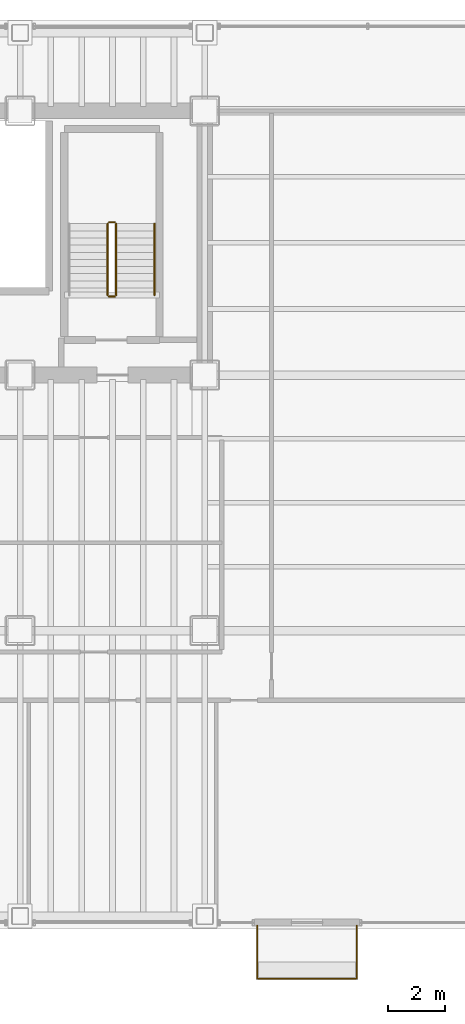
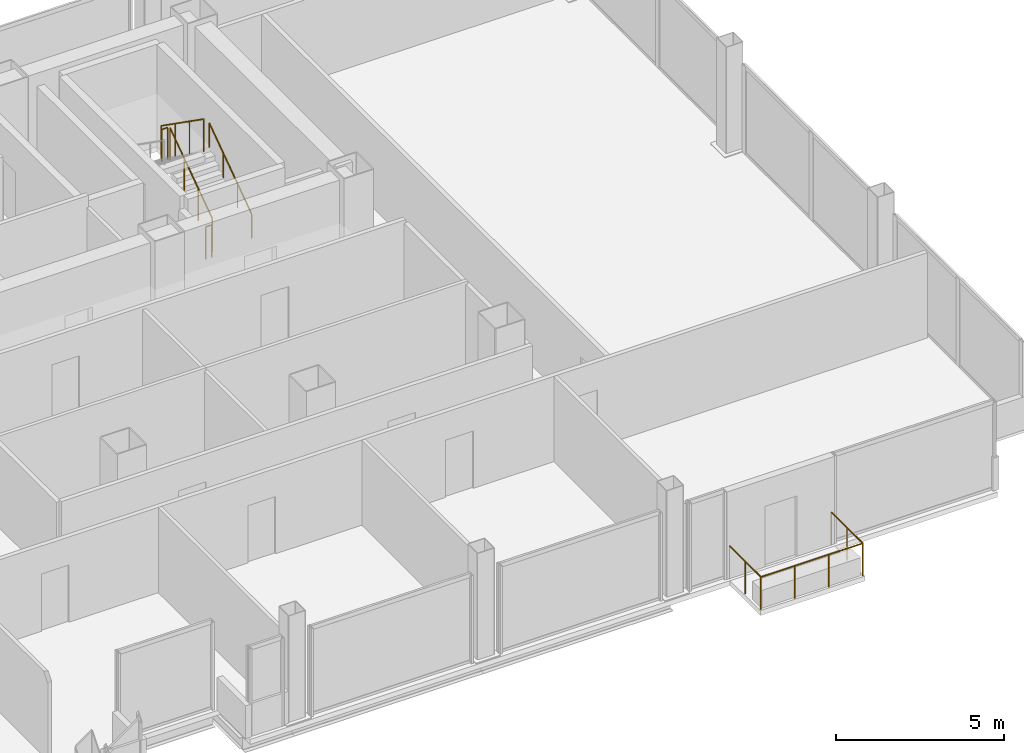
# One storey, part 22 of 22: 6 railings.
"""IFC4 building model written with IfcOpenShell, lengths in metres."""

from ifc_helpers import new_model, si_unit, direction, frame, origin, origin_2d, place, context, subcontext, project, spatial, circle, extrude, material, layer, layer_set, type_object, element, save


model = new_model("IFC4")

# Units and contexts
model_context = context("Model", 3, precision=1e-05, world=origin(), true_north=direction((0.0, 1.0)))
body_context = subcontext(model_context, "Body", "Model", "MODEL_VIEW")
ifc_project = project(units=[si_unit("LENGTHUNIT", "METRE"), si_unit("AREAUNIT", "SQUARE_METRE"), si_unit("VOLUMEUNIT", "CUBIC_METRE"), si_unit("PLANEANGLEUNIT", "RADIAN"), si_unit("MASSUNIT", "GRAM", prefix="KILO")], contexts=[model_context])

# Site, building, storey
site_placement = place(None, origin())
site = spatial("IfcSite", under=ifc_project, at=site_placement, CompositionType="ELEMENT")
building_placement = place(site_placement, origin())
building = spatial("IfcBuilding", under=site, at=building_placement, Name="Noeulbin Bourse Tower", CompositionType="ELEMENT")
storey_placement = place(building_placement, frame((0.0, 0.0, 88.89990234375)))
storey = spatial("IfcBuildingStorey", under=building, at=storey_placement, Name="L22", CompositionType="ELEMENT", Elevation=88.89990234375)

# Railings
ifc_material_1 = material(Name="Laminated SentryGlas and Stainless Steel 316", Category="steel")
ifc_layer_1 = layer(ifc_material_1, 0.06005859375)
ifc_layer_set_1 = layer_set([ifc_layer_1], Name="Laminated SentryGlas and Stainless Steel 316")
railing_type_1 = type_object("IfcRailingType", Name="RLG-BAL-1200", PredefinedType="BALUSTRADE", material=ifc_layer_set_1)
railing_1_placement = place(storey_placement, frame((45.85009765625, 9.6201171875, 0.0)))
element("IfcRailing", 1, at=railing_1_placement, inside=storey, type_object=railing_type_1, Name="Tree-Balcony Glazed Balustrade L22", PredefinedType="BALUSTRADE", context=body_context, shape_type="SweptSolid", body=[
    extrude(circle(Radius=0.02392578125, at=origin_2d()), frame((0.0, 0.0, 1.17578125), z_axis=(0.0, -1.0, 0.0), x_axis=(1.0, 0.0, 0.0)), (0.0, 0.0, 1.0), 1.8701171875),
    extrude(circle(Radius=0.02392578125, at=origin_2d()), frame((0.0, -1.8701171875, 1.17578125), z_axis=(1.0, 0.0, 0.0), x_axis=(0.0, 1.0, 0.0)), (0.0, 0.0, 1.0), 3.5),
    extrude(circle(Radius=0.02392578125, at=origin_2d()), frame((3.5, -1.8701171875, 1.17578125), z_axis=(0.0, 1.0, 0.0), x_axis=(-1.0, 0.0, 0.0)), (0.0, 0.0, 1.0), 1.8701171875),
    extrude(circle(Radius=0.02099609375, at=origin_2d()), origin(), (0.0, 0.0, 1.0), 1.15185546875),
    extrude(circle(Radius=0.02099609375, at=origin_2d()), frame((0.0, -0.93505859375, 0.0)), (0.0, 0.0, 1.0), 1.15185546875),
    extrude(circle(Radius=0.02099609375, at=origin_2d()), frame((0.0, -1.8701171875, 0.0)), (0.0, 0.0, 1.0), 1.15185546875),
    extrude(circle(Radius=0.02099609375, at=origin_2d()), frame((1.166748046875, -1.8701171875, 0.0)), (0.0, 0.0, 1.0), 1.15185546875),
    extrude(circle(Radius=0.02099609375, at=origin_2d()), frame((2.333251953125, -1.8701171875, 0.0)), (0.0, 0.0, 1.0), 1.15185546875),
    extrude(circle(Radius=0.02099609375, at=origin_2d()), frame((3.5, -1.8701171875, 0.0)), (0.0, 0.0, 1.0), 1.15185546875),
    extrude(circle(Radius=0.02099609375, at=origin_2d()), frame((3.5, -0.93505859375, 0.0)), (0.0, 0.0, 1.0), 1.15185546875),
    extrude(circle(Radius=0.02099609375, at=origin_2d()), frame((3.5, 0.0, 0.0)), (0.0, 0.0, 1.0), 1.15185546875),
])
ifc_material_2 = material(Name="Painted Tubular Steel S355", Category="steel")
ifc_layer_2 = layer(ifc_material_2, 0.048095703125)
ifc_layer_set_2 = layer_set([ifc_layer_2], Name="Painted Tubular Steel S355")
railing_type_2 = type_object("IfcRailingType", Name="RLG-STR-GRD", PredefinedType="GUARDRAIL", material=ifc_layer_set_2)
railing_2_placement = place(storey_placement, frame((40.8798828125, 31.81005859375, 0.177490234375)))
element("IfcRailing", 2, at=railing_2_placement, inside=storey, type_object=railing_type_2, Name="L22 ST-2 stair guard 1", PredefinedType="GUARDRAIL", context=body_context, shape_type="SweptSolid", body=[
    extrude(circle(Radius=0.02392578125, at=origin_2d()), frame((0.0, 0.0, 1.17578125), z_axis=(0.0, 0.817904474719, 0.575354039036), x_axis=(-1.0, 0.0, 0.0)), (0.0, 0.0, 1.0), 3.0810546875),
    extrude(circle(Radius=0.02099609375, at=origin_2d()), origin(), (0.0, 0.0, 1.0), 1.15185546875),
    extrude(circle(Radius=0.02099609375, at=origin_2d()), frame((0.0, 0.840087890625, 0.5908203125)), (0.0, 0.0, 1.0), 1.15185546875),
    extrude(circle(Radius=0.02099609375, at=origin_2d()), frame((0.0, 1.679931640625, 1.181884765625)), (0.0, 0.0, 1.0), 1.15185546875),
    extrude(circle(Radius=0.02099609375, at=origin_2d()), frame((0.0, 2.52001953125, 1.772705078125)), (0.0, 0.0, 1.0), 1.15185546875),
])
railing_3_placement = place(storey_placement, frame((40.830078125, 34.3798828125, 1.9501953125)))
element("IfcRailing", 3, at=railing_3_placement, inside=storey, type_object=railing_type_2, Name="L22 ST-2 stair guard 2", PredefinedType="GUARDRAIL", context=body_context, shape_type="SweptSolid", body=[
    extrude(circle(Radius=0.02392578125, at=origin_2d()), frame((0.0, 0.0, 1.17578125), z_axis=(-1.0, 0.0, 0.0), x_axis=(0.0, -1.0, 0.0)), (0.0, 0.0, 1.0), 0.2001953125),
    extrude(circle(Radius=0.02099609375, at=origin_2d()), origin(), (0.0, 0.0, 1.0), 1.15185546875),
    extrude(circle(Radius=0.02099609375, at=origin_2d()), frame((-0.2001953125, 0.0, 0.0)), (0.0, 0.0, 1.0), 1.15185546875),
])
railing_4_placement = place(storey_placement, frame((40.580078125, 34.330078125, 2.12744140625)))
element("IfcRailing", 4, at=railing_4_placement, inside=storey, type_object=railing_type_2, Name="L22 ST-2 stair guard 3", PredefinedType="GUARDRAIL", context=body_context, shape_type="SweptSolid", body=[
    extrude(circle(Radius=0.02392578125, at=origin_2d()), frame((0.0, 0.0, 1.17578125), z_axis=(0.0, -0.817904474719, 0.575354039036), x_axis=(1.0, 0.0, 0.0)), (0.0, 0.0, 1.0), 3.0810546875),
    extrude(circle(Radius=0.02099609375, at=origin_2d()), origin(), (0.0, 0.0, 1.0), 1.15185546875),
    extrude(circle(Radius=0.02099609375, at=origin_2d()), frame((0.0, -0.840087890625, 0.5908203125)), (0.0, 0.0, 1.0), 1.15185546875),
    extrude(circle(Radius=0.02099609375, at=origin_2d()), frame((0.0, -1.679931640625, 1.181884765625)), (0.0, 0.0, 1.0), 1.15185546875),
    extrude(circle(Radius=0.02099609375, at=origin_2d()), frame((0.0, -2.52001953125, 1.772705078125)), (0.0, 0.0, 1.0), 1.15185546875),
])
railing_5_placement = place(storey_placement, frame((40.830078125, 31.760009765625, 0.0)))
element("IfcRailing", 5, at=railing_5_placement, inside=storey, type_object=railing_type_2, Name="L22 ST-2 stair guard 4", PredefinedType="GUARDRAIL", context=body_context, shape_type="SweptSolid", body=[
    extrude(circle(Radius=0.02392578125, at=origin_2d()), frame((0.0, 0.0, 1.17578125), z_axis=(-1.0, 0.0, 0.0), x_axis=(0.0, -1.0, 0.0)), (0.0, 0.0, 1.0), 0.2001953125),
    extrude(circle(Radius=0.02099609375, at=origin_2d()), origin(), (0.0, 0.0, 1.0), 1.15185546875),
    extrude(circle(Radius=0.02099609375, at=origin_2d()), frame((-0.2001953125, 0.0, 0.0)), (0.0, 0.0, 1.0), 1.15185546875),
])
ifc_material_3 = material(Name="Brushed Stainless Steel 316", Category="steel")
ifc_layer_3 = layer(ifc_material_3, 0.048095703125)
ifc_layer_set_3 = layer_set([ifc_layer_3], Name="Brushed Stainless Steel 316")
railing_type_3 = type_object("IfcRailingType", Name="RLG-STR-HND", PredefinedType="HANDRAIL", material=ifc_layer_set_3)
railing_6_placement = place(storey_placement, frame((42.22998046875, 31.81005859375, 0.177490234375)))
element("IfcRailing", 6, at=railing_6_placement, inside=storey, type_object=railing_type_3, Name="L22 ST-2 stair handrail 1", PredefinedType="HANDRAIL", context=body_context, shape_type="SweptSolid", body=[
    extrude(circle(Radius=0.02392578125, at=origin_2d()), frame((0.0, 0.0, 0.8759765625), z_axis=(0.0, 0.817904474719, 0.575354039036), x_axis=(-1.0, 0.0, 0.0)), (0.0, 0.0, 1.0), 3.0810546875),
    extrude(circle(Radius=0.02099609375, at=origin_2d()), origin(), (0.0, 0.0, 1.0), 0.851806640625),
    extrude(circle(Radius=0.02099609375, at=origin_2d()), frame((0.0, 0.840087890625, 0.5908203125)), (0.0, 0.0, 1.0), 0.851806640625),
    extrude(circle(Radius=0.02099609375, at=origin_2d()), frame((0.0, 1.679931640625, 1.181884765625)), (0.0, 0.0, 1.0), 0.851806640625),
    extrude(circle(Radius=0.02099609375, at=origin_2d()), frame((0.0, 2.52001953125, 1.772705078125)), (0.0, 0.0, 1.0), 0.851806640625),
])

save(model, "model.ifc")
